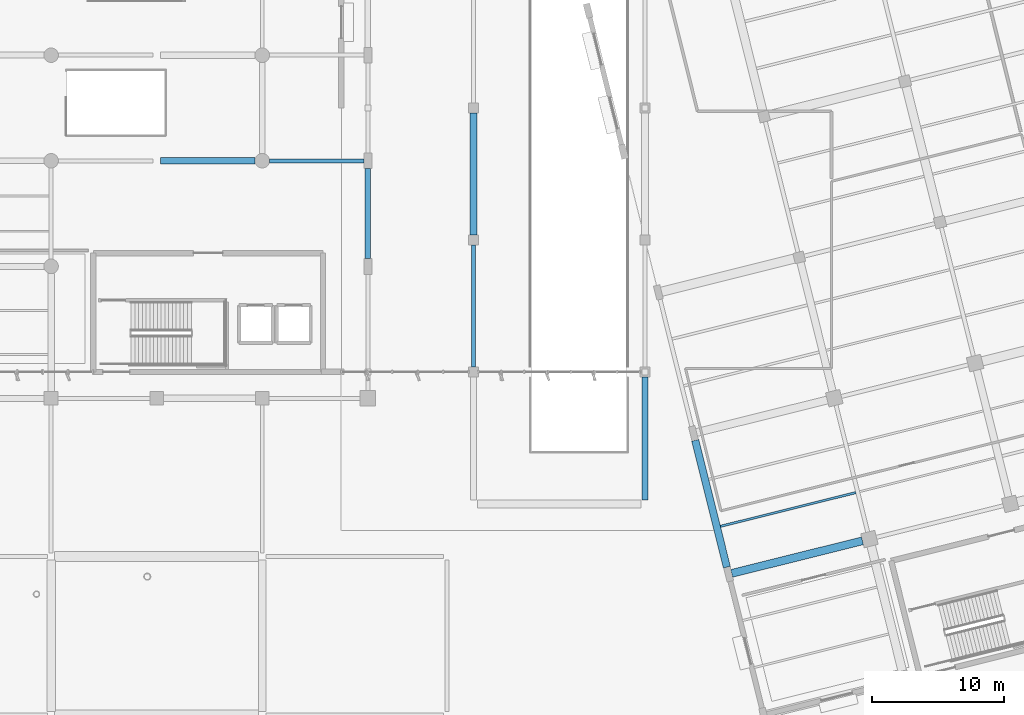
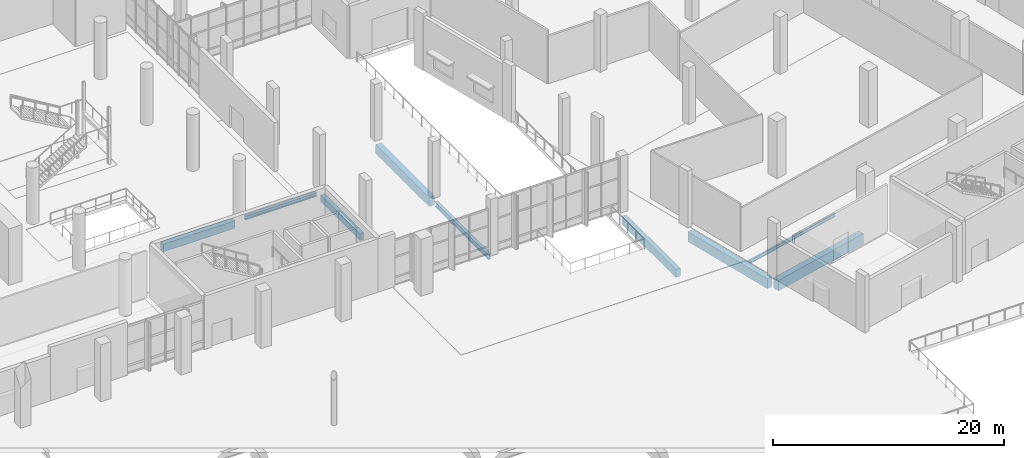
# One storey, part 82 of 163: 9 beams.
"""IFC4 building model written with IfcOpenShell, lengths in metres."""

import ifcopenshell
import ifcopenshell.guid

model = None  # the IFC model being written
_history = None  # IfcOwnerHistory: only IFC2X3 demands one
_inside = {}  # id of a spatial element -> (the spatial element, [elements in it])
_under = {}  # id of a project, library or spatial element -> (it, [spatial elements below it])
_declared = {}  # id of a project -> (the project, [libraries it declares])
_typed = {}  # id of a type object -> (the type object, [elements of that type])
_made_of = {}  # id of a material, layer set ... -> (it, [elements and type objects made of it])


def new_model(schema):
    """Start an empty IFC model of exactly this schema.

    Asked for "IFC4X3", IfcOpenShell would pick the latest addendum, in which some entities
    have other attributes; the version numbers below select the first issue.
    IFC2X3 requires an IfcOwnerHistory on every rooted entity: one is made here for all.
    """
    global model, _history
    if schema == "IFC4X3":
        model = ifcopenshell.file(schema_version=(4, 3, 0, 0))
    else:
        model = ifcopenshell.file(schema=schema)
    _inside.clear()
    _under.clear()
    _declared.clear()
    _typed.clear()
    _made_of.clear()
    _history = None
    if model.schema == "IFC2X3":
        org = make("IfcOrganization", Name="unknown")
        user = make(
            "IfcPersonAndOrganization",
            ThePerson=make("IfcPerson", FamilyName="unknown"),
            TheOrganization=org,
        )
        app = make(
            "IfcApplication",
            ApplicationDeveloper=org,
            Version="unknown",
            ApplicationFullName="unknown",
            ApplicationIdentifier="unknown",
        )
        _history = make(
            "IfcOwnerHistory",
            OwningUser=user,
            OwningApplication=app,
            ChangeAction="ADDED",
            CreationDate=0,
        )
    return model


def make(cls, **values):
    """One entity of the class cls with the attributes given. An attribute that is None is left unset."""
    return model.create_entity(
        cls, **{name: value for name, value in values.items() if value is not None}
    )


def rooted(cls, **values):
    """An entity with a GlobalId (a new one), such as an element, a storey or a relation."""
    return make(cls, GlobalId=ifcopenshell.guid.new(), OwnerHistory=_history, **values)


def si_unit(unit_type, name, prefix=None):
    """IfcSIUnit, for example si_unit("LENGTHUNIT", "METRE", prefix="MILLI")."""
    return make("IfcSIUnit", UnitType=unit_type, Prefix=prefix, Name=name)


def assignment(units):
    """IfcUnitAssignment: the units of a project."""
    return None if units is None else make("IfcUnitAssignment", Units=units)


def point(xyz):
    """IfcCartesianPoint."""
    return None if xyz is None else make("IfcCartesianPoint", Coordinates=xyz)


def direction(xyz):
    """IfcDirection."""
    return None if xyz is None else make("IfcDirection", DirectionRatios=xyz)


def frame(location, z_axis=None, x_axis=None):
    """IfcAxis2Placement3D, a coordinate frame: its origin and axes. An axis left out is left unset."""
    return make(
        "IfcAxis2Placement3D",
        Location=point(location),
        Axis=direction(z_axis),
        RefDirection=direction(x_axis),
    )


def frame_2d(location, x_axis=None):
    """IfcAxis2Placement2D, a coordinate frame in the plane: its origin and x axis."""
    return make(
        "IfcAxis2Placement2D", Location=point(location), RefDirection=direction(x_axis)
    )


def origin():
    """The frame at (0, 0, 0) with its axes left unset."""
    return frame((0.0, 0.0, 0.0))


def origin_2d():
    """The frame at (0, 0) in the plane with its x axis left unset."""
    return frame_2d((0.0, 0.0))


def place(relative_to, where):
    """IfcLocalPlacement: puts the frame where relative to a parent placement (None: the world)."""
    return make(
        "IfcLocalPlacement", PlacementRelTo=relative_to, RelativePlacement=where
    )


def context(
    kind, dimensions, precision=None, world=None, true_north=None, identifier=None
):
    """IfcGeometricRepresentationContext, for example the 3D "Model" context."""
    return make(
        "IfcGeometricRepresentationContext",
        ContextIdentifier=identifier,
        ContextType=kind,
        CoordinateSpaceDimension=dimensions,
        Precision=precision,
        WorldCoordinateSystem=world,
        TrueNorth=true_north,
    )


def subcontext(parent, identifier, kind, view, scale=None):
    """IfcGeometricRepresentationSubContext, for example "Body" below "Model"."""
    return make(
        "IfcGeometricRepresentationSubContext",
        ContextIdentifier=identifier,
        ContextType=kind,
        ParentContext=parent,
        TargetScale=scale,
        TargetView=view,
    )


def project(units=None, contexts=None):
    """IfcProject with its units and contexts."""
    return rooted(
        "IfcProject",
        Name="project",
        RepresentationContexts=contexts,
        UnitsInContext=assignment(units),
    )


def spatial(cls, under=None, at=None, **own):
    """A site, building, storey or space (cls), placed at a placement, below another one or the project."""
    s = rooted(cls, ObjectPlacement=at, **own)
    if under is not None:
        _under.setdefault(under.id(), (under, []))[1].append(s)
    return s


def profile(cls, at=None, kind="AREA", **sizes):
    """A parametric profile (cls). Its sizes go by their IFC names, for example OverallWidth=200.0."""
    return make(cls, ProfileType=kind, Position=at, **sizes)


def rectangle(**sizes):
    """IfcRectangleProfileDef."""
    return profile("IfcRectangleProfileDef", **sizes)


def i_section(**sizes):
    """IfcIShapeProfileDef."""
    return profile("IfcIShapeProfileDef", **sizes)


def extrude(swept, where, along, depth):
    """IfcExtrudedAreaSolid: the profile swept, set in the frame where, extruded along a direction by depth."""
    return make(
        "IfcExtrudedAreaSolid",
        SweptArea=swept,
        Position=where,
        ExtrudedDirection=direction(along),
        Depth=depth,
    )


def shape(context_of_items, identifier, shape_type, items):
    """IfcShapeRepresentation: the items that make up one representation, for example the "Body"."""
    return make(
        "IfcShapeRepresentation",
        ContextOfItems=context_of_items,
        RepresentationIdentifier=identifier,
        RepresentationType=shape_type,
        Items=items,
    )


def material(Name=None, Category=None):
    """IfcMaterial."""
    return make("IfcMaterial", Name=Name, Category=Category)


def material_profile(
    of_material, cross_section, Name=None, Category=None, Priority=None
):
    """IfcMaterialProfile: a cross section and its material."""
    return make(
        "IfcMaterialProfile",
        Name=Name,
        Material=of_material,
        Profile=cross_section,
        Priority=Priority,
        Category=Category,
    )


def profile_set(profiles, Name=None, composite=None):
    """IfcMaterialProfileSet."""
    return make(
        "IfcMaterialProfileSet",
        Name=Name,
        MaterialProfiles=profiles,
        CompositeProfile=composite,
    )


def made_of(thing, what):
    """Note that an element or type object is made of a material, layer set ...; save() writes the relation."""
    if what is not None:
        _made_of.setdefault(what.id(), (what, []))[1].append(thing)
    return thing


def type_object(cls, material=None, **own):
    """A type object (cls), such as IfcWallType, which elements share."""
    return made_of(rooted(cls, **own), material)


def element(
    cls,
    number,
    at=None,
    inside=None,
    cuts=None,
    type_object=None,
    material=None,
    context=None,
    identifier="Body",
    shape_type=None,
    held_by="IfcProductDefinitionShape",
    body=None,
    shapes=None,
    **own,
):
    """One element of the class cls, such as IfcWall. Its Tag is "e" and its number.

    at: its placement. inside: the storey or other place that contains it. cuts: it is an
    opening in that element (IfcRelVoidsElement). A single representation is given by context,
    identifier, shape_type and body (its items); several are given by shapes. held_by: the class
    of the entity that holds the representations. save() writes the other relations.
    """
    e = rooted(cls, Tag="e%d" % number, ObjectPlacement=at, **own)
    if body is not None:
        shapes = [shape(context, identifier, shape_type, body)]
    if shapes is not None:
        e.Representation = make(held_by, Representations=shapes)
    if inside is not None:
        _inside.setdefault(inside.id(), (inside, []))[1].append(e)
    if cuts is not None:
        rooted(
            "IfcRelVoidsElement", RelatingBuildingElement=cuts, RelatedOpeningElement=e
        )
    if type_object is not None:
        _typed.setdefault(type_object.id(), (type_object, []))[1].append(e)
    return made_of(e, material)


def aggregate(whole, parts):
    """IfcRelAggregates: a whole, such as a stair, and the parts it consists of."""
    return rooted("IfcRelAggregates", RelatingObject=whole, RelatedObjects=parts)


def save(model, path):
    """Write the relations noted so far, then the file.

    IfcRelAggregates (storeys below a building ...), IfcRelContainedInSpatialStructure (elements
    in a storey), IfcRelDefinesByType, IfcRelAssociatesMaterial and IfcRelDeclares: one each for
    every whole, place, type object, material and project.
    """
    for whole, parts in _under.values():
        aggregate(whole, parts)
    for where, things in _inside.values():
        rooted(
            "IfcRelContainedInSpatialStructure",
            RelatedElements=things,
            RelatingStructure=where,
        )
    for kind, things in _typed.values():
        rooted("IfcRelDefinesByType", RelatedObjects=things, RelatingType=kind)
    for what, things in _made_of.values():
        rooted("IfcRelAssociatesMaterial", RelatedObjects=things, RelatingMaterial=what)
    for by, libraries in _declared.values():
        rooted("IfcRelDeclares", RelatingContext=by, RelatedDefinitions=libraries)
    model.write(path)


model = new_model("IFC4")

# Units and contexts
model_context = context("Model", 3, precision=1e-05, world=origin(), true_north=direction((0.0, 1.0)))
body_context = subcontext(model_context, "Body", "Model", "MODEL_VIEW")
ifc_project = project(units=[si_unit("LENGTHUNIT", "METRE"), si_unit("AREAUNIT", "SQUARE_METRE"), si_unit("VOLUMEUNIT", "CUBIC_METRE"), si_unit("PLANEANGLEUNIT", "RADIAN"), si_unit("MASSUNIT", "GRAM", prefix="KILO")], contexts=[model_context])

# Site, building, storey
site_placement = place(None, origin())
site = spatial("IfcSite", under=ifc_project, at=site_placement, CompositionType="ELEMENT")
building_placement = place(site_placement, origin())
building = spatial("IfcBuilding", under=site, at=building_placement, Name="Khorjan Park Terminus", CompositionType="ELEMENT")
storey_placement = place(building_placement, origin())
storey = spatial("IfcBuildingStorey", under=building, at=storey_placement, Name="L00", CompositionType="ELEMENT", Elevation=0.0)

# Beams
ifc_material_1 = material(Name="Steel S355", Category="steel")
ifc_material_profile_1 = material_profile(ifc_material_1, i_section(OverallWidth=0.3, OverallDepth=0.39, WebThickness=0.011, FlangeThickness=0.019, FilletRadius=0.027, at=origin_2d()), Name="HEA 400")
ifc_profile_set_1 = profile_set([ifc_material_profile_1], Name="Steel S355")
beam_type_1 = type_object("IfcBeamType", Name="BM-HEA400", PredefinedType="BEAM", material=ifc_profile_set_1)
beam_1_placement = place(storey_placement, frame((128.545, 44.0, -0.545), z_axis=(1.0, 0.0, 0.0), x_axis=(0.0, 1.0, 0.0)))
element("IfcBeam", 1, at=beam_1_placement, inside=storey, type_object=beam_type_1, Name="Primary floor girder SB-A40 (L00)", PredefinedType="BEAM", context=body_context, shape_type="SweptSolid", body=[
    extrude(i_section(OverallWidth=0.3, OverallDepth=0.39, WebThickness=0.011, FlangeThickness=0.019, FilletRadius=0.027, at=origin_2d()), origin(), (0.0, 0.0, 1.0), 7.16),
])
ifc_material_profile_2 = material_profile(ifc_material_1, i_section(OverallWidth=0.3, OverallDepth=0.55, WebThickness=0.015, FlangeThickness=0.029, FilletRadius=0.027, at=origin_2d()), Name="HEB 550")
ifc_profile_set_2 = profile_set([ifc_material_profile_2], Name="Steel S355")
beam_type_2 = type_object("IfcBeamType", Name="BM-HEB550", PredefinedType="BEAM", material=ifc_profile_set_2)
beam_2_placement = place(storey_placement, frame((144.0, 28.37, -0.625), z_axis=(0.0, 1.0, 0.0), x_axis=(-1.0, 0.0, 0.0)))
element("IfcBeam", 2, at=beam_2_placement, inside=storey, type_object=beam_type_2, Name="Primary floor girder SB-B55 (L00)", PredefinedType="BEAM", context=body_context, shape_type="SweptSolid", body=[
    extrude(i_section(OverallWidth=0.3, OverallDepth=0.55, WebThickness=0.015, FlangeThickness=0.029, FilletRadius=0.027, at=origin_2d()), origin(), (0.0, 0.0, 1.0), 9.26),
])
ifc_material_2 = material(Name="Concrete C40/50", Category="concrete")
ifc_material_profile_3 = material_profile(ifc_material_2, rectangle(XDim=0.4, YDim=0.7, at=origin_2d()), Name="RC 400x700")
ifc_profile_set_3 = profile_set([ifc_material_profile_3], Name="Concrete C40/50")
beam_type_3 = type_object("IfcBeamType", Name="BM-RC400x700", PredefinedType="BEAM", material=ifc_profile_set_3)
beam_3_placement = place(storey_placement, frame((136.0, 36.595, -0.7), z_axis=(0.0, 1.0, 0.0), x_axis=(-1.0, 0.0, 0.0)))
element("IfcBeam", 3, at=beam_3_placement, inside=storey, type_object=beam_type_3, Name="Primary floor girder GB-07 (L00)", PredefinedType="BEAM", context=body_context, shape_type="SweptSolid", body=[
    extrude(rectangle(XDim=0.4, YDim=0.7, at=origin_2d()), origin(), (0.0, 0.0, 1.0), 6.81),
])
ifc_material_profile_4 = material_profile(ifc_material_2, rectangle(XDim=0.45, YDim=0.85, at=origin_2d()), Name="RC 450x850")
ifc_profile_set_4 = profile_set([ifc_material_profile_4], Name="Concrete C40/50")
beam_type_4 = type_object("IfcBeamType", Name="BM-RC450x850", PredefinedType="BEAM", material=ifc_profile_set_4)
beam_4_placement = place(storey_placement, frame((157.0, 18.295, -0.775), z_axis=(0.0, 1.0, 0.0), x_axis=(-1.0, 0.0, 0.0)))
element("IfcBeam", 4, at=beam_4_placement, inside=storey, type_object=beam_type_4, Name="Primary floor girder GB-85 (L00)", PredefinedType="BEAM", context=body_context, shape_type="SweptSolid", body=[
    extrude(rectangle(XDim=0.45, YDim=0.85, at=origin_2d()), origin(), (0.0, 0.0, 1.0), 9.335),
])
ifc_material_profile_5 = material_profile(ifc_material_2, rectangle(XDim=0.5, YDim=0.8, at=origin_2d()), Name="RC 500x800")
ifc_profile_set_5 = profile_set([ifc_material_profile_5], Name="Concrete C40/50")
beam_type_5 = type_object("IfcBeamType", Name="BM-RC500x800", PredefinedType="BEAM", material=ifc_profile_set_5)
beam_5_placement = place(storey_placement, frame((120.295, 44.0, -0.75), z_axis=(1.0, 0.0, 0.0), x_axis=(0.0, 1.0, 0.0)))
element("IfcBeam", 5, at=beam_5_placement, inside=storey, type_object=beam_type_5, Name="Primary floor girder GB-08 (L00)", PredefinedType="BEAM", context=body_context, shape_type="SweptSolid", body=[
    extrude(rectangle(XDim=0.5, YDim=0.8, at=origin_2d()), origin(), (0.0, 0.0, 1.0), 7.16),
])
ifc_material_profile_6 = material_profile(ifc_material_2, rectangle(XDim=0.55, YDim=1.05, at=origin_2d()), Name="RC 550x1050")
ifc_profile_set_6 = profile_set([ifc_material_profile_6], Name="Concrete C40/50")
beam_type_6 = type_object("IfcBeamType", Name="BM-RC550x1050", PredefinedType="BEAM", material=ifc_profile_set_6)
beam_6_placement = place(storey_placement, frame((163.207, 13.2021, -0.885), z_axis=(-0.241918252798, 0.970296634521, 0.0), x_axis=(-0.970296634521, -0.241918252798, 0.0)))
element("IfcBeam", 6, at=beam_6_placement, inside=storey, type_object=beam_type_6, Name="Primary skew-grid floor girder GB-105 (L00)", PredefinedType="BEAM", context=body_context, shape_type="SweptSolid", body=[
    extrude(rectangle(XDim=0.55, YDim=1.05, at=origin_2d()), origin(), (0.0, 0.0, 1.0), 9.91),
])
ifc_material_profile_7 = material_profile(ifc_material_2, rectangle(XDim=0.55, YDim=0.95, at=origin_2d()), Name="RC 550x950")
ifc_profile_set_7 = profile_set([ifc_material_profile_7], Name="Concrete C40/50")
beam_type_7 = type_object("IfcBeamType", Name="BM-RC550x950", PredefinedType="BEAM", material=ifc_profile_set_7)
beam_7_placement = place(storey_placement, frame((144.0, 38.37, -0.825), z_axis=(0.0, 1.0, 0.0), x_axis=(-1.0, 0.0, 0.0)))
element("IfcBeam", 7, at=beam_7_placement, inside=storey, type_object=beam_type_7, Name="Primary floor girder GB-95 (L00)", PredefinedType="BEAM", context=body_context, shape_type="SweptSolid", body=[
    extrude(rectangle(XDim=0.55, YDim=0.95, at=origin_2d()), origin(), (0.0, 0.0, 1.0), 9.26),
])
ifc_material_profile_8 = material_profile(ifc_material_2, rectangle(XDim=0.6, YDim=1.1, at=origin_2d()), Name="RC 600x1100")
ifc_profile_set_8 = profile_set([ifc_material_profile_8], Name="Concrete C40/50")
beam_type_8 = type_object("IfcBeamType", Name="BM-RC600x1100", PredefinedType="BEAM", material=ifc_profile_set_8)
beam_8_placement = place(storey_placement, frame((163.5766, 12.7325, -0.91), z_axis=(0.970296133805, 0.241920261086, 0.0), x_axis=(-0.241920261086, 0.970296133805, 0.0)))
element("IfcBeam", 8, at=beam_8_placement, inside=storey, type_object=beam_type_8, Name="Primary skew-grid floor girder GB-11 (L00)", PredefinedType="BEAM", context=body_context, shape_type="SweptSolid", body=[
    extrude(rectangle(XDim=0.6, YDim=1.1, at=origin_2d()), origin(), (0.0, 0.0, 1.0), 10.21),
])
ifc_material_profile_9 = material_profile(ifc_material_1, i_section(OverallWidth=0.17, OverallDepth=0.36, WebThickness=0.008, FlangeThickness=0.0127, FilletRadius=0.018, at=origin_2d()), Name="IPE 360")
ifc_profile_set_9 = profile_set([ifc_material_profile_9], Name="Steel S355")
beam_type_9 = type_object("IfcBeamType", Name="JS-IPE360", PredefinedType="JOIST", material=ifc_profile_set_9)
beam_9_placement = place(storey_placement, frame((162.7186, 16.2976, -0.54), z_axis=(0.970296385626, 0.241919251074, 0.0), x_axis=(-0.241919251074, 0.970296385626, 0.0)))
element("IfcBeam", 9, at=beam_9_placement, inside=storey, type_object=beam_type_9, Name="Secondary composite floor joist SJ-36 (L00)", PredefinedType="JOIST", context=body_context, shape_type="SweptSolid", body=[
    extrude(i_section(OverallWidth=0.17, OverallDepth=0.36, WebThickness=0.008, FlangeThickness=0.0127, FilletRadius=0.018, at=origin_2d()), origin(), (0.0, 0.0, 1.0), 10.575),
])

save(model, "model.ifc")
